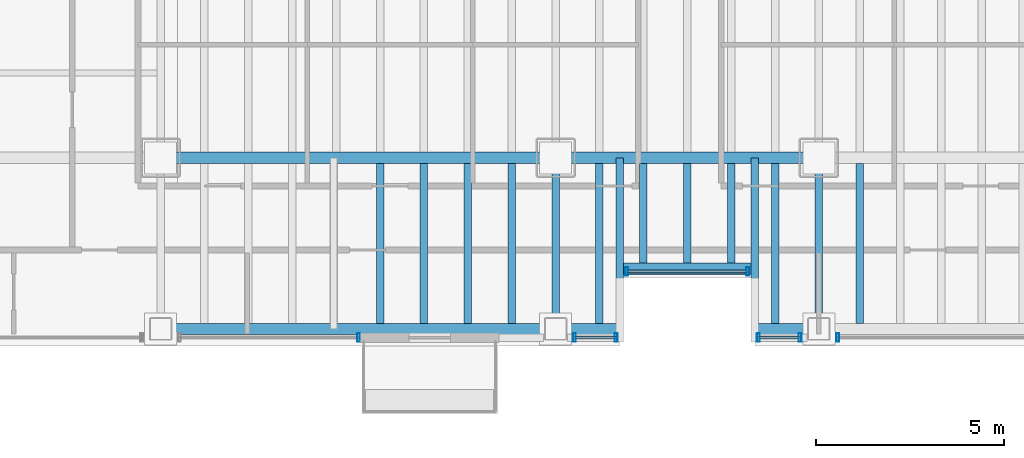
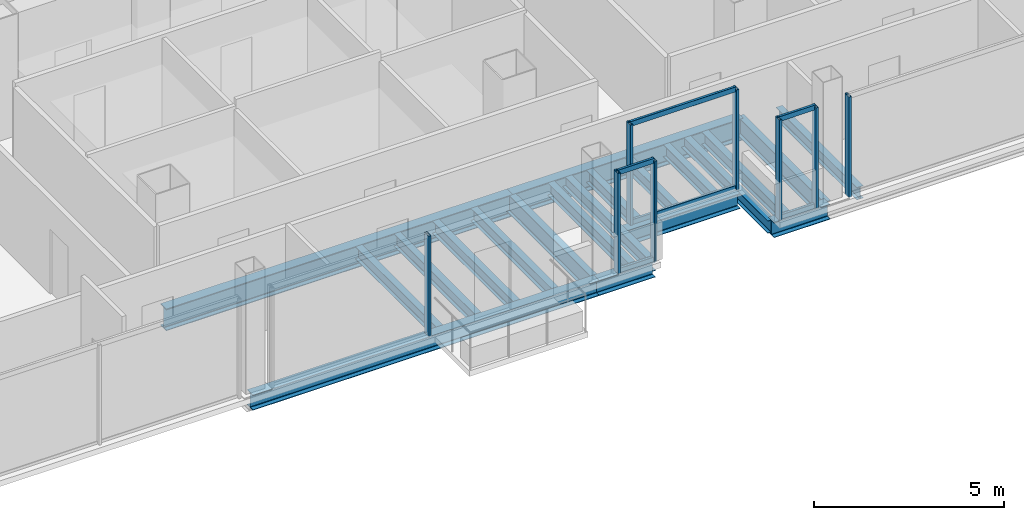
# One storey, part 4 of 21: 20 beams, 14 members, 5 elements without a shape of their own.
"""IFC4 building model written with IfcOpenShell, lengths in metres."""

from ifc_helpers import new_model, si_unit, direction, frame, origin, origin_2d, place, context, subcontext, project, spatial, hollow_rectangle, i_section, extrude, material, material_profile, profile_set, type_object, element, aggregate, save


model = new_model("IFC4")

# Units and contexts
model_context = context("Model", 3, precision=1e-05, world=origin(), true_north=direction((0.0, 1.0)))
body_context = subcontext(model_context, "Body", "Model", "MODEL_VIEW")
ifc_project = project(units=[si_unit("LENGTHUNIT", "METRE"), si_unit("AREAUNIT", "SQUARE_METRE"), si_unit("VOLUMEUNIT", "CUBIC_METRE"), si_unit("PLANEANGLEUNIT", "RADIAN"), si_unit("MASSUNIT", "GRAM", prefix="KILO")], contexts=[model_context])

# Site, building, storey
site_placement = place(None, origin())
site = spatial("IfcSite", under=ifc_project, at=site_placement, CompositionType="ELEMENT")
building_placement = place(site_placement, origin())
building = spatial("IfcBuilding", under=site, at=building_placement, Name="Noeulbin Bourse Tower", CompositionType="ELEMENT")
storey_placement = place(building_placement, frame((0.0, 0.0, 30.39990234375)))
storey = spatial("IfcBuildingStorey", under=building, at=storey_placement, Name="L07", CompositionType="ELEMENT", Elevation=30.39990234375)

# Beams
ifc_material_1 = material(Name="Steel S355", Category="steel")
ifc_material_profile_1 = material_profile(ifc_material_1, i_section(OverallWidth=0.199951171875, OverallDepth=0.60009765625, WebThickness=0.010986328125, FlangeThickness=0.01708984375, FilletRadius=0.02197265625, at=origin_2d()), Name="H-600x200x11x17", Category="LoadBearing")
ifc_profile_set_1 = profile_set([ifc_material_profile_1], Name="Steel S355")
beam_type_1 = type_object("IfcBeamType", Name="BM-GRD-600", PredefinedType="USERDEFINED", material=ifc_profile_set_1)
for number, where, z_axis, x_axis, name in (
    (1, (24.0, 15.449951171875, -0.47998046875), (0.0, 1.0, 0.0), (-1.0, 0.0, 0.0), "Tower Primary Girder NS L07-2.1"),
    (2, (31.0, 15.449951171875, -0.47998046875), (0.0, 1.0, 0.0), (-1.0, 0.0, 0.0), "Tower Primary Girder NS L07-3.1"),
):
    element("IfcBeam", number, at=place(storey_placement, frame(where, z_axis=z_axis, x_axis=x_axis)), inside=storey, type_object=beam_type_1, Name=name, ObjectType="GIRDER", PredefinedType="USERDEFINED", context=body_context, shape_type="SweptSolid", body=[
        extrude(i_section(OverallWidth=0.199951171875, OverallDepth=0.60009765625, WebThickness=0.010986328125, FlangeThickness=0.01708984375, FilletRadius=0.02197265625, at=origin_2d()), origin(), (0.0, 0.0, 1.0), 4.550048828125),
    ])
ifc_material_profile_2 = material_profile(ifc_material_1, i_section(OverallWidth=0.300048828125, OverallDepth=0.699951171875, WebThickness=0.012939453125, FlangeThickness=0.02392578125, FilletRadius=0.02392578125, at=origin_2d()), Name="H-700x300x13x24", Category="LoadBearing")
ifc_profile_set_2 = profile_set([ifc_material_profile_2], Name="Steel S355")
beam_type_2 = type_object("IfcBeamType", Name="BM-GRD-700", PredefinedType="USERDEFINED", material=ifc_profile_set_2)
beam_1_placement = place(storey_placement, frame((13.5, 20.0, -0.52978515625), z_axis=(1.0, 0.0, 0.0), x_axis=(0.0, 1.0, 0.0)))
element("IfcBeam", 3, at=beam_1_placement, inside=storey, type_object=beam_type_2, Name="Tower Primary Girder EW L07-1.2", ObjectType="GIRDER", PredefinedType="USERDEFINED", context=body_context, shape_type="SweptSolid", body=[
    extrude(i_section(OverallWidth=0.300048828125, OverallDepth=0.699951171875, WebThickness=0.012939453125, FlangeThickness=0.02392578125, FilletRadius=0.02392578125, at=origin_2d()), origin(), (0.0, 0.0, 1.0), 10.5),
])
beam_2_placement = place(storey_placement, frame((24.0, 20.0, -0.52978515625), z_axis=(1.0, 0.0, 0.0), x_axis=(0.0, 1.0, 0.0)))
element("IfcBeam", 4, at=beam_2_placement, inside=storey, type_object=beam_type_2, Name="Tower Primary Girder EW L07-1.3", ObjectType="GIRDER", PredefinedType="USERDEFINED", context=body_context, shape_type="SweptSolid", body=[
    extrude(i_section(OverallWidth=0.300048828125, OverallDepth=0.699951171875, WebThickness=0.012939453125, FlangeThickness=0.02392578125, FilletRadius=0.02392578125, at=origin_2d()), origin(), (0.0, 0.0, 1.0), 7.0),
])
ifc_material_profile_3 = material_profile(ifc_material_1, i_section(OverallWidth=0.199951171875, OverallDepth=0.39990234375, WebThickness=0.008056640625, FlangeThickness=0.012939453125, FilletRadius=0.01611328125, at=origin_2d()), Name="H-400x200x8x13", Category="LoadBearing")
ifc_profile_set_3 = profile_set([ifc_material_profile_3], Name="Steel S355")
beam_type_3 = type_object("IfcBeamType", Name="BM-SEC-400", PredefinedType="BEAM", material=ifc_profile_set_3)
for number, where, z_axis, x_axis, name in (
    (5, (25.699951171875, 15.449951171875, -0.3798828125), (0.0, 1.0, 0.0), (-1.0, 0.0, 0.0), "BM-L07-SRT-W"),
    (6, (29.300048828125, 15.449951171875, -0.3798828125), (0.0, 1.0, 0.0), (-1.0, 0.0, 0.0), "BM-L07-SRT-E"),
):
    element("IfcBeam", number, at=place(storey_placement, frame(where, z_axis=z_axis, x_axis=x_axis)), inside=storey, type_object=beam_type_3, Name=name, PredefinedType="BEAM", context=body_context, shape_type="SweptSolid", body=[
        extrude(i_section(OverallWidth=0.199951171875, OverallDepth=0.39990234375, WebThickness=0.008056640625, FlangeThickness=0.012939453125, FilletRadius=0.01611328125, at=origin_2d()), origin(), (0.0, 0.0, 1.0), 4.550048828125),
    ])
for number, where, z_axis, x_axis, name in (
    (7, (19.333251953125, 15.60009765625, -0.3798828125), (0.0, 1.0, 0.0), (-1.0, 0.0, 0.0), "Tower Composite Joist L07-12"),
    (8, (20.5, 15.60009765625, -0.3798828125), (0.0, 1.0, 0.0), (-1.0, 0.0, 0.0), "Tower Composite Joist L07-15"),
    (9, (21.666748046875, 15.60009765625, -0.3798828125), (0.0, 1.0, 0.0), (-1.0, 0.0, 0.0), "Tower Composite Joist L07-18"),
    (10, (22.833251953125, 15.60009765625, -0.3798828125), (0.0, 1.0, 0.0), (-1.0, 0.0, 0.0), "Tower Composite Joist L07-21"),
    (11, (25.166748046875, 15.60009765625, -0.3798828125), (0.0, 1.0, 0.0), (-1.0, 0.0, 0.0), "Tower Composite Joist L07-24"),
):
    element("IfcBeam", number, at=place(storey_placement, frame(where, z_axis=z_axis, x_axis=x_axis)), inside=storey, type_object=beam_type_3, Name=name, PredefinedType="BEAM", context=body_context, shape_type="SweptSolid", body=[
        extrude(i_section(OverallWidth=0.199951171875, OverallDepth=0.39990234375, WebThickness=0.008056640625, FlangeThickness=0.012939453125, FilletRadius=0.01611328125, at=origin_2d()), origin(), (0.0, 0.0, 1.0), 4.25),
    ])
for number, where, z_axis, x_axis, name in (
    (12, (26.333251953125, 17.199951171875, -0.3798828125), (0.0, 1.0, 0.0), (-1.0, 0.0, 0.0), "Tower Composite Joist L07-27"),
    (13, (27.5, 17.199951171875, -0.3798828125), (0.0, 1.0, 0.0), (-1.0, 0.0, 0.0), "Tower Composite Joist L07-30"),
    (14, (28.666748046875, 17.199951171875, -0.3798828125), (0.0, 1.0, 0.0), (-1.0, 0.0, 0.0), "Tower Composite Joist L07-33"),
):
    element("IfcBeam", number, at=place(storey_placement, frame(where, z_axis=z_axis, x_axis=x_axis)), inside=storey, type_object=beam_type_3, Name=name, PredefinedType="BEAM", context=body_context, shape_type="SweptSolid", body=[
        extrude(i_section(OverallWidth=0.199951171875, OverallDepth=0.39990234375, WebThickness=0.008056640625, FlangeThickness=0.012939453125, FilletRadius=0.01611328125, at=origin_2d()), origin(), (0.0, 0.0, 1.0), 2.650146484375),
    ])
for number, where, z_axis, x_axis, name in (
    (15, (29.833251953125, 15.60009765625, -0.3798828125), (0.0, 1.0, 0.0), (-1.0, 0.0, 0.0), "Tower Composite Joist L07-36"),
    (16, (32.083251953125, 15.60009765625, -0.3798828125), (0.0, 1.0, 0.0), (-1.0, 0.0, 0.0), "Tower Composite Joist L07-39"),
):
    element("IfcBeam", number, at=place(storey_placement, frame(where, z_axis=z_axis, x_axis=x_axis)), inside=storey, type_object=beam_type_3, Name=name, PredefinedType="BEAM", context=body_context, shape_type="SweptSolid", body=[
        extrude(i_section(OverallWidth=0.199951171875, OverallDepth=0.39990234375, WebThickness=0.008056640625, FlangeThickness=0.012939453125, FilletRadius=0.01611328125, at=origin_2d()), origin(), (0.0, 0.0, 1.0), 4.25),
    ])
ifc_material_profile_4 = material_profile(ifc_material_1, i_section(OverallWidth=0.300048828125, OverallDepth=0.488037109375, WebThickness=0.010986328125, FlangeThickness=0.01806640625, FilletRadius=0.02197265625, at=origin_2d()), Name="H-488x300x11x18", Category="LoadBearing")
ifc_profile_set_4 = profile_set([ifc_material_profile_4], Name="Steel S355")
beam_type_4 = type_object("IfcBeamType", Name="BM-SPN-488", PredefinedType="SPANDREL", material=ifc_profile_set_4)
beam_3_placement = place(storey_placement, frame((13.5, 15.449951171875, -0.423828125), z_axis=(1.0, 0.0, 0.0), x_axis=(0.0, 1.0, 0.0)))
element("IfcBeam", 17, at=beam_3_placement, inside=storey, type_object=beam_type_4, Name="South Spandrel L07-1", PredefinedType="SPANDREL", context=body_context, shape_type="SweptSolid", body=[
    extrude(i_section(OverallWidth=0.300048828125, OverallDepth=0.488037109375, WebThickness=0.010986328125, FlangeThickness=0.01806640625, FilletRadius=0.02197265625, at=origin_2d()), origin(), (0.0, 0.0, 1.0), 10.5),
])
beam_4_placement = place(storey_placement, frame((25.800048828125, 17.050048828125, -0.423828125), z_axis=(1.0, 0.0, 0.0), x_axis=(0.0, 1.0, 0.0)))
element("IfcBeam", 18, at=beam_4_placement, inside=storey, type_object=beam_type_4, Name="South Recess Spandrel L07-2B", PredefinedType="SPANDREL", context=body_context, shape_type="SweptSolid", body=[
    extrude(i_section(OverallWidth=0.300048828125, OverallDepth=0.488037109375, WebThickness=0.010986328125, FlangeThickness=0.01806640625, FilletRadius=0.02197265625, at=origin_2d()), origin(), (0.0, 0.0, 1.0), 3.39990234375),
])
for number, where, z_axis, x_axis, name in (
    (19, (24.0, 15.449951171875, -0.423828125), (1.0, 0.0, 0.0), (0.0, 1.0, 0.0), "South Spandrel L07-2A"),
    (20, (29.300048828125, 15.449951171875, -0.423828125), (1.0, 0.0, 0.0), (0.0, 1.0, 0.0), "South Spandrel L07-2C"),
):
    element("IfcBeam", number, at=place(storey_placement, frame(where, z_axis=z_axis, x_axis=x_axis)), inside=storey, type_object=beam_type_4, Name=name, PredefinedType="SPANDREL", context=body_context, shape_type="SweptSolid", body=[
        extrude(i_section(OverallWidth=0.300048828125, OverallDepth=0.488037109375, WebThickness=0.010986328125, FlangeThickness=0.01806640625, FilletRadius=0.02197265625, at=origin_2d()), origin(), (0.0, 0.0, 1.0), 1.699951171875),
    ])

# Curtain wall, members
ifc_material_2 = material(Name="Dark Solar-Control Double Glazing", Category="glass")
curtain_wall_type = type_object("IfcCurtainWallType", Name="CW-SYS-2", PredefinedType="NOTDEFINED", material=ifc_material_2)
curtain_wall_1_placement = place(storey_placement, origin())
curtain_wall_1 = element("IfcCurtainWall", 21, at=curtain_wall_1_placement, inside=storey, type_object=curtain_wall_type, Name="Unitised Curtain Wall CW-L07-SREC", PredefinedType="NOTDEFINED")
ifc_material_3 = material(Name="Anodised Aluminium 6063-T6", Category="aluminium")
ifc_material_profile_5 = material_profile(ifc_material_3, hollow_rectangle(XDim=0.074951171875, YDim=0.219970703125, WallThickness=0.0048828125, InnerFilletRadius=0.00244140625, OuterFilletRadius=0.0048828125, at=origin_2d()), Name="ALU-MULL-75x220x5", Category="LoadBearing")
ifc_profile_set_5 = profile_set([ifc_material_profile_5], Name="Anodised Aluminium 6063-T6")
member_type_1 = type_object("IfcMemberType", Name="CW-SYS-2-MUL", PredefinedType="MULLION", material=ifc_profile_set_5)
member_1_placement = place(storey_placement, frame((25.889892578125, 16.97998046875, -0.02001953125), z_axis=(0.0, 0.0, 1.0), x_axis=(1.0, 0.0, 0.0)))
member_1 = element("IfcMember", 22, at=member_1_placement, type_object=member_type_1, Name="Curtain Wall Mullion CW-L07-SREC-M00", PredefinedType="MULLION", context=body_context, shape_type="SweptSolid", body=[
    extrude(hollow_rectangle(XDim=0.074951171875, YDim=0.219970703125, WallThickness=0.0048828125, InnerFilletRadius=0.00244140625, OuterFilletRadius=0.0048828125, at=origin_2d()), origin(), (0.0, 0.0, 1.0), 3.22021484375),
])
member_2_placement = place(storey_placement, frame((29.110107421875, 16.97998046875, -0.02001953125), z_axis=(0.0, 0.0, 1.0), x_axis=(1.0, 0.0, 0.0)))
member_2 = element("IfcMember", 23, at=member_2_placement, type_object=member_type_1, Name="Curtain Wall Mullion CW-L07-SREC-M01", PredefinedType="MULLION", context=body_context, shape_type="SweptSolid", body=[
    extrude(hollow_rectangle(XDim=0.074951171875, YDim=0.219970703125, WallThickness=0.0048828125, InnerFilletRadius=0.00244140625, OuterFilletRadius=0.0048828125, at=origin_2d()), origin(), (0.0, 0.0, 1.0), 3.22021484375),
])

# Curtain wall, member
curtain_wall_2_placement = place(storey_placement, origin())
curtain_wall_2 = element("IfcCurtainWall", 24, at=curtain_wall_2_placement, inside=storey, type_object=curtain_wall_type, Name="Unitised Curtain Wall CW-L07-S1-S2", PredefinedType="NOTDEFINED")
member_3_placement = place(storey_placement, frame((18.760009765625, 15.219970703125, -0.02001953125), z_axis=(0.0, 0.0, 1.0), x_axis=(1.0, 0.0, 0.0)))
member_3 = element("IfcMember", 25, at=member_3_placement, type_object=member_type_1, Name="Curtain Wall Mullion CW-L07-S1-S2-M01", PredefinedType="MULLION", context=body_context, shape_type="SweptSolid", body=[
    extrude(hollow_rectangle(XDim=0.074951171875, YDim=0.219970703125, WallThickness=0.0048828125, InnerFilletRadius=0.00244140625, OuterFilletRadius=0.0048828125, at=origin_2d()), origin(), (0.0, 0.0, 1.0), 3.22021484375),
])
aggregate(curtain_wall_2, [member_3])

# Curtain wall, members
curtain_wall_3_placement = place(storey_placement, origin())
curtain_wall_3 = element("IfcCurtainWall", 26, at=curtain_wall_3_placement, inside=storey, type_object=curtain_wall_type, Name="Unitised Curtain Wall CW-L07-S2", PredefinedType="NOTDEFINED")
member_4_placement = place(storey_placement, frame((24.5, 15.219970703125, -0.02001953125), z_axis=(0.0, 0.0, 1.0), x_axis=(1.0, 0.0, 0.0)))
member_4 = element("IfcMember", 27, at=member_4_placement, type_object=member_type_1, Name="Curtain Wall Mullion CW-L07-S2-M00", PredefinedType="MULLION", context=body_context, shape_type="SweptSolid", body=[
    extrude(hollow_rectangle(XDim=0.074951171875, YDim=0.219970703125, WallThickness=0.0048828125, InnerFilletRadius=0.00244140625, OuterFilletRadius=0.0048828125, at=origin_2d()), origin(), (0.0, 0.0, 1.0), 3.22021484375),
])
member_5_placement = place(storey_placement, frame((25.610107421875, 15.219970703125, -0.02001953125), z_axis=(0.0, 0.0, 1.0), x_axis=(1.0, 0.0, 0.0)))
member_5 = element("IfcMember", 28, at=member_5_placement, type_object=member_type_1, Name="Curtain Wall Mullion CW-L07-S2-M01", PredefinedType="MULLION", context=body_context, shape_type="SweptSolid", body=[
    extrude(hollow_rectangle(XDim=0.074951171875, YDim=0.219970703125, WallThickness=0.0048828125, InnerFilletRadius=0.00244140625, OuterFilletRadius=0.0048828125, at=origin_2d()), origin(), (0.0, 0.0, 1.0), 3.22021484375),
])

curtain_wall_4_placement = place(storey_placement, origin())
curtain_wall_4 = element("IfcCurtainWall", 29, at=curtain_wall_4_placement, inside=storey, type_object=curtain_wall_type, Name="Unitised Curtain Wall CW-L07-S3-S1", PredefinedType="NOTDEFINED")
member_6_placement = place(storey_placement, frame((29.389892578125, 15.219970703125, -0.02001953125), z_axis=(0.0, 0.0, 1.0), x_axis=(1.0, 0.0, 0.0)))
member_6 = element("IfcMember", 30, at=member_6_placement, type_object=member_type_1, Name="Curtain Wall Mullion CW-L07-S3-S1-M00", PredefinedType="MULLION", context=body_context, shape_type="SweptSolid", body=[
    extrude(hollow_rectangle(XDim=0.074951171875, YDim=0.219970703125, WallThickness=0.0048828125, InnerFilletRadius=0.00244140625, OuterFilletRadius=0.0048828125, at=origin_2d()), origin(), (0.0, 0.0, 1.0), 3.22021484375),
])
member_7_placement = place(storey_placement, frame((30.5, 15.219970703125, -0.02001953125), z_axis=(0.0, 0.0, 1.0), x_axis=(1.0, 0.0, 0.0)))
member_7 = element("IfcMember", 31, at=member_7_placement, type_object=member_type_1, Name="Curtain Wall Mullion CW-L07-S3-S1-M01", PredefinedType="MULLION", context=body_context, shape_type="SweptSolid", body=[
    extrude(hollow_rectangle(XDim=0.074951171875, YDim=0.219970703125, WallThickness=0.0048828125, InnerFilletRadius=0.00244140625, OuterFilletRadius=0.0048828125, at=origin_2d()), origin(), (0.0, 0.0, 1.0), 3.22021484375),
])

# Curtain wall, member
curtain_wall_5_placement = place(storey_placement, origin())
curtain_wall_5 = element("IfcCurtainWall", 32, at=curtain_wall_5_placement, inside=storey, type_object=curtain_wall_type, Name="Unitised Curtain Wall CW-L07-S3-S2", PredefinedType="NOTDEFINED")
member_8_placement = place(storey_placement, frame((31.5, 15.219970703125, -0.02001953125), z_axis=(0.0, 0.0, 1.0), x_axis=(1.0, 0.0, 0.0)))
member_8 = element("IfcMember", 33, at=member_8_placement, type_object=member_type_1, Name="Curtain Wall Mullion CW-L07-S3-S2-M00", PredefinedType="MULLION", context=body_context, shape_type="SweptSolid", body=[
    extrude(hollow_rectangle(XDim=0.074951171875, YDim=0.219970703125, WallThickness=0.0048828125, InnerFilletRadius=0.00244140625, OuterFilletRadius=0.0048828125, at=origin_2d()), origin(), (0.0, 0.0, 1.0), 3.22021484375),
])
aggregate(curtain_wall_5, [member_8])

# Member
ifc_material_profile_6 = material_profile(ifc_material_3, hollow_rectangle(XDim=0.074951171875, YDim=0.159912109375, WallThickness=0.0048828125, InnerFilletRadius=0.00244140625, OuterFilletRadius=0.0048828125, at=origin_2d()), Name="ALU-TRAN-75x160x5", Category="LoadBearing")
ifc_profile_set_6 = profile_set([ifc_material_profile_6], Name="Anodised Aluminium 6063-T6")
member_type_2 = type_object("IfcMemberType", Name="CW-SYS-2-TRN", PredefinedType="USERDEFINED", material=ifc_profile_set_6)
member_9_placement = place(storey_placement, frame((25.89990234375, 16.97998046875, 0.010009765625), z_axis=(1.0, 0.0, 0.0), x_axis=(0.0, 1.0, 0.0)))
member_9 = element("IfcMember", 34, at=member_9_placement, type_object=member_type_2, Name="Curtain Wall Transom CW-L07-SREC-T00", ObjectType="TRANSOM", PredefinedType="USERDEFINED", context=body_context, shape_type="SweptSolid", body=[
    extrude(hollow_rectangle(XDim=0.074951171875, YDim=0.159912109375, WallThickness=0.0048828125, InnerFilletRadius=0.00244140625, OuterFilletRadius=0.0048828125, at=origin_2d()), origin(), (0.0, 0.0, 1.0), 3.2001953125),
])

member_10_placement = place(storey_placement, frame((25.89990234375, 16.97998046875, 3.170166015625), z_axis=(1.0, 0.0, 0.0), x_axis=(0.0, 1.0, 0.0)))
member_10 = element("IfcMember", 35, at=member_10_placement, type_object=member_type_2, Name="Curtain Wall Transom CW-L07-SREC-T01", ObjectType="TRANSOM", PredefinedType="USERDEFINED", context=body_context, shape_type="SweptSolid", body=[
    extrude(hollow_rectangle(XDim=0.074951171875, YDim=0.159912109375, WallThickness=0.0048828125, InnerFilletRadius=0.00244140625, OuterFilletRadius=0.0048828125, at=origin_2d()), origin(), (0.0, 0.0, 1.0), 3.2001953125),
])

aggregate(curtain_wall_1, [member_1, member_2, member_9, member_10])

member_11_placement = place(storey_placement, frame((24.510009765625, 15.219970703125, 0.010009765625), z_axis=(1.0, 0.0, 0.0), x_axis=(0.0, 1.0, 0.0)))
member_11 = element("IfcMember", 36, at=member_11_placement, type_object=member_type_2, Name="Curtain Wall Transom CW-L07-S2-T00", ObjectType="TRANSOM", PredefinedType="USERDEFINED", context=body_context, shape_type="SweptSolid", body=[
    extrude(hollow_rectangle(XDim=0.074951171875, YDim=0.159912109375, WallThickness=0.0048828125, InnerFilletRadius=0.00244140625, OuterFilletRadius=0.0048828125, at=origin_2d()), origin(), (0.0, 0.0, 1.0), 1.090087890625),
])

member_12_placement = place(storey_placement, frame((24.510009765625, 15.219970703125, 3.170166015625), z_axis=(1.0, 0.0, 0.0), x_axis=(0.0, 1.0, 0.0)))
member_12 = element("IfcMember", 37, at=member_12_placement, type_object=member_type_2, Name="Curtain Wall Transom CW-L07-S2-T01", ObjectType="TRANSOM", PredefinedType="USERDEFINED", context=body_context, shape_type="SweptSolid", body=[
    extrude(hollow_rectangle(XDim=0.074951171875, YDim=0.159912109375, WallThickness=0.0048828125, InnerFilletRadius=0.00244140625, OuterFilletRadius=0.0048828125, at=origin_2d()), origin(), (0.0, 0.0, 1.0), 1.090087890625),
])

aggregate(curtain_wall_3, [member_4, member_5, member_11, member_12])

member_13_placement = place(storey_placement, frame((29.39990234375, 15.219970703125, 0.010009765625), z_axis=(1.0, 0.0, 0.0), x_axis=(0.0, 1.0, 0.0)))
member_13 = element("IfcMember", 38, at=member_13_placement, type_object=member_type_2, Name="Curtain Wall Transom CW-L07-S3-S1-T00", ObjectType="TRANSOM", PredefinedType="USERDEFINED", context=body_context, shape_type="SweptSolid", body=[
    extrude(hollow_rectangle(XDim=0.074951171875, YDim=0.159912109375, WallThickness=0.0048828125, InnerFilletRadius=0.00244140625, OuterFilletRadius=0.0048828125, at=origin_2d()), origin(), (0.0, 0.0, 1.0), 1.090087890625),
])

member_14_placement = place(storey_placement, frame((29.39990234375, 15.219970703125, 3.170166015625), z_axis=(1.0, 0.0, 0.0), x_axis=(0.0, 1.0, 0.0)))
member_14 = element("IfcMember", 39, at=member_14_placement, type_object=member_type_2, Name="Curtain Wall Transom CW-L07-S3-S1-T01", ObjectType="TRANSOM", PredefinedType="USERDEFINED", context=body_context, shape_type="SweptSolid", body=[
    extrude(hollow_rectangle(XDim=0.074951171875, YDim=0.159912109375, WallThickness=0.0048828125, InnerFilletRadius=0.00244140625, OuterFilletRadius=0.0048828125, at=origin_2d()), origin(), (0.0, 0.0, 1.0), 1.090087890625),
])

aggregate(curtain_wall_4, [member_6, member_7, member_13, member_14])

save(model, "model.ifc")
